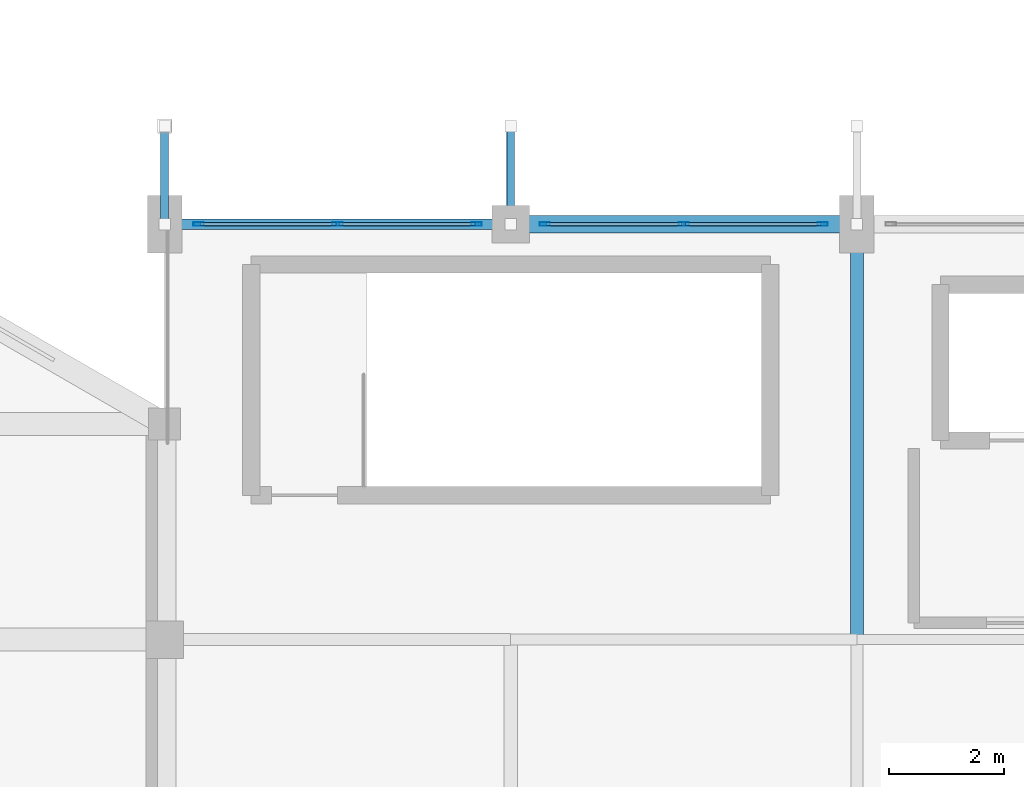
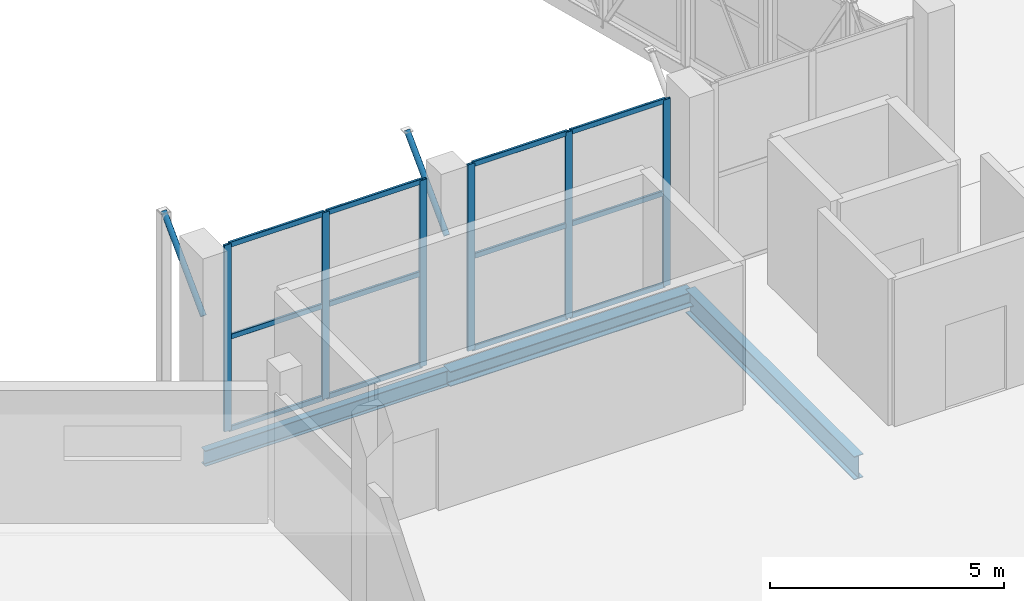
# One storey, part 38 of 127: 20 members, 3 beams, 2 elements without a shape of their own.
"""IFC4 building model written with IfcOpenShell, lengths in metres."""

from ifc_helpers import new_model, si_unit, direction, frame, origin, origin_2d, place, context, subcontext, project, spatial, hollow_rectangle, hollow_circle, i_section, extrude, material, layer, layer_set, material_profile, profile_set, type_object, element, aggregate, save


model = new_model("IFC4")

# Units and contexts
model_context = context("Model", 3, precision=1e-05, world=origin(), true_north=direction((0.0, 1.0)))
body_context = subcontext(model_context, "Body", "Model", "MODEL_VIEW")
ifc_project = project(units=[si_unit("LENGTHUNIT", "METRE"), si_unit("AREAUNIT", "SQUARE_METRE"), si_unit("VOLUMEUNIT", "CUBIC_METRE"), si_unit("PLANEANGLEUNIT", "RADIAN"), si_unit("MASSUNIT", "GRAM", prefix="KILO")], contexts=[model_context])

# Site, building, storey
site_placement = place(None, origin())
site = spatial("IfcSite", under=ifc_project, at=site_placement, CompositionType="ELEMENT")
building_placement = place(site_placement, origin())
building = spatial("IfcBuilding", under=site, at=building_placement, Name="Dunvalen Ferry Terminal", CompositionType="ELEMENT")
storey_placement = place(building_placement, frame((0.0, 0.0, 5.760009765625)))
storey = spatial("IfcBuildingStorey", under=building, at=storey_placement, Name="L01", CompositionType="ELEMENT", Elevation=5.760009765625)

# Curtain wall, members
ifc_material_1 = material(Name="Anodised marine aluminium and solar-control glazing", Category="aluminium")
ifc_layer = layer(ifc_material_1, 0.219970703125, Name="Anodised marine aluminium and solar-control glazing")
ifc_layer_set = layer_set([ifc_layer], Name="Anodised marine aluminium and solar-control glazing")
curtain_wall_type = type_object("IfcCurtainWallType", Name="ENV-CW-SYS-02", PredefinedType="NOTDEFINED", material=ifc_layer_set)
curtain_wall_1_placement = place(storey_placement, origin())
curtain_wall_1 = element("IfcCurtainWall", 1, at=curtain_wall_1_placement, inside=storey, type_object=curtain_wall_type, Name="L01 Curtain Wall CW-V1N-L01-01", PredefinedType="NOTDEFINED")
ifc_material_2 = material(Name="Anodised marine aluminium EN AW-6063 T6", Category="aluminium")
ifc_material_profile_1 = material_profile(ifc_material_2, hollow_rectangle(XDim=0.06005859375, YDim=0.179931640625, WallThickness=0.00341796875, InnerFilletRadius=0.00341796875, OuterFilletRadius=0.007080078125, at=origin_2d()), Name="Anodised marine aluminium EN AW-6063 T6")
ifc_profile_set_1 = profile_set([ifc_material_profile_1], Name="Anodised marine aluminium EN AW-6063 T6")
member_type_1 = type_object("IfcMemberType", Name="ENV-CW-MUL-2", PredefinedType="MULLION", material=ifc_profile_set_1)
member_1_placement = place(storey_placement, frame((12.590087890625, 86.39990234375, 0.0), z_axis=(0.0, 0.0, 1.0), x_axis=(0.0, 1.0, 0.0)))
member_1 = element("IfcMember", 2, at=member_1_placement, type_object=member_type_1, Name="CW-02 mullion 1", PredefinedType="MULLION", context=body_context, shape_type="SweptSolid", body=[
    extrude(hollow_rectangle(XDim=0.06005859375, YDim=0.179931640625, WallThickness=0.00341796875, InnerFilletRadius=0.00341796875, OuterFilletRadius=0.007080078125, at=origin_2d()), origin(), (0.0, 0.0, 1.0), 4.860107421875),
])
member_2_placement = place(storey_placement, frame((15.0, 86.39990234375, 0.0), z_axis=(0.0, 0.0, 1.0), x_axis=(0.0, 1.0, 0.0)))
member_2 = element("IfcMember", 3, at=member_2_placement, type_object=member_type_1, Name="CW-02 mullion 2", PredefinedType="MULLION", context=body_context, shape_type="SweptSolid", body=[
    extrude(hollow_rectangle(XDim=0.06005859375, YDim=0.179931640625, WallThickness=0.00341796875, InnerFilletRadius=0.00341796875, OuterFilletRadius=0.007080078125, at=origin_2d()), origin(), (0.0, 0.0, 1.0), 4.860107421875),
])
member_3_placement = place(storey_placement, frame((17.409912109375, 86.39990234375, 0.0), z_axis=(0.0, 0.0, 1.0), x_axis=(0.0, 1.0, 0.0)))
member_3 = element("IfcMember", 4, at=member_3_placement, type_object=member_type_1, Name="CW-02 mullion 3", PredefinedType="MULLION", context=body_context, shape_type="SweptSolid", body=[
    extrude(hollow_rectangle(XDim=0.06005859375, YDim=0.179931640625, WallThickness=0.00341796875, InnerFilletRadius=0.00341796875, OuterFilletRadius=0.007080078125, at=origin_2d()), origin(), (0.0, 0.0, 1.0), 4.860107421875),
])

curtain_wall_2_placement = place(storey_placement, origin())
curtain_wall_2 = element("IfcCurtainWall", 5, at=curtain_wall_2_placement, inside=storey, type_object=curtain_wall_type, Name="L01 Curtain Wall CW-V1N-L01-02", PredefinedType="NOTDEFINED")
member_4_placement = place(storey_placement, frame((18.590087890625, 86.39990234375, 0.0), z_axis=(0.0, 0.0, 1.0), x_axis=(0.0, 1.0, 0.0)))
member_4 = element("IfcMember", 6, at=member_4_placement, type_object=member_type_1, Name="CW-02 mullion 1", PredefinedType="MULLION", context=body_context, shape_type="SweptSolid", body=[
    extrude(hollow_rectangle(XDim=0.06005859375, YDim=0.179931640625, WallThickness=0.00341796875, InnerFilletRadius=0.00341796875, OuterFilletRadius=0.007080078125, at=origin_2d()), origin(), (0.0, 0.0, 1.0), 4.860107421875),
])
member_5_placement = place(storey_placement, frame((21.0, 86.39990234375, 0.0), z_axis=(0.0, 0.0, 1.0), x_axis=(0.0, 1.0, 0.0)))
member_5 = element("IfcMember", 7, at=member_5_placement, type_object=member_type_1, Name="CW-02 mullion 2", PredefinedType="MULLION", context=body_context, shape_type="SweptSolid", body=[
    extrude(hollow_rectangle(XDim=0.06005859375, YDim=0.179931640625, WallThickness=0.00341796875, InnerFilletRadius=0.00341796875, OuterFilletRadius=0.007080078125, at=origin_2d()), origin(), (0.0, 0.0, 1.0), 4.860107421875),
])
member_6_placement = place(storey_placement, frame((23.409912109375, 86.39990234375, 0.0), z_axis=(0.0, 0.0, 1.0), x_axis=(0.0, 1.0, 0.0)))
member_6 = element("IfcMember", 8, at=member_6_placement, type_object=member_type_1, Name="CW-02 mullion 3", PredefinedType="MULLION", context=body_context, shape_type="SweptSolid", body=[
    extrude(hollow_rectangle(XDim=0.06005859375, YDim=0.179931640625, WallThickness=0.00341796875, InnerFilletRadius=0.00341796875, OuterFilletRadius=0.007080078125, at=origin_2d()), origin(), (0.0, 0.0, 1.0), 4.860107421875),
])

# Member
ifc_material_profile_2 = material_profile(ifc_material_2, hollow_rectangle(XDim=0.06005859375, YDim=0.135009765625, WallThickness=0.003173828125, InnerFilletRadius=0.003173828125, OuterFilletRadius=0.00634765625, at=origin_2d()), Name="Anodised marine aluminium EN AW-6063 T6")
ifc_profile_set_2 = profile_set([ifc_material_profile_2], Name="Anodised marine aluminium EN AW-6063 T6")
member_type_2 = type_object("IfcMemberType", Name="ENV-CW-TRN-2", PredefinedType="USERDEFINED", material=ifc_profile_set_2)
member_7_placement = place(storey_placement, frame((12.6201171875, 86.39990234375, 0.030029296875), z_axis=(1.0, 0.0, 0.0), x_axis=(0.0, 1.0, 0.0)))
member_7 = element("IfcMember", 9, at=member_7_placement, type_object=member_type_2, Name="CW-02 transom 1.1", ObjectType="TRANSOM", PredefinedType="USERDEFINED", context=body_context, shape_type="SweptSolid", body=[
    extrude(hollow_rectangle(XDim=0.06005859375, YDim=0.135009765625, WallThickness=0.003173828125, InnerFilletRadius=0.003173828125, OuterFilletRadius=0.00634765625, at=origin_2d()), origin(), (0.0, 0.0, 1.0), 2.349853515625),
])

member_8_placement = place(storey_placement, frame((12.6201171875, 86.39990234375, 2.429931640625), z_axis=(1.0, 0.0, 0.0), x_axis=(0.0, 1.0, 0.0)))
member_8 = element("IfcMember", 10, at=member_8_placement, type_object=member_type_2, Name="CW-02 transom 1.2", ObjectType="TRANSOM", PredefinedType="USERDEFINED", context=body_context, shape_type="SweptSolid", body=[
    extrude(hollow_rectangle(XDim=0.06005859375, YDim=0.135009765625, WallThickness=0.003173828125, InnerFilletRadius=0.003173828125, OuterFilletRadius=0.00634765625, at=origin_2d()), origin(), (0.0, 0.0, 1.0), 2.349853515625),
])

member_9_placement = place(storey_placement, frame((12.6201171875, 86.39990234375, 4.830078125), z_axis=(1.0, 0.0, 0.0), x_axis=(0.0, 1.0, 0.0)))
member_9 = element("IfcMember", 11, at=member_9_placement, type_object=member_type_2, Name="CW-02 transom 1.3", ObjectType="TRANSOM", PredefinedType="USERDEFINED", context=body_context, shape_type="SweptSolid", body=[
    extrude(hollow_rectangle(XDim=0.06005859375, YDim=0.135009765625, WallThickness=0.003173828125, InnerFilletRadius=0.003173828125, OuterFilletRadius=0.00634765625, at=origin_2d()), origin(), (0.0, 0.0, 1.0), 2.349853515625),
])

member_10_placement = place(storey_placement, frame((15.030029296875, 86.39990234375, 0.030029296875), z_axis=(1.0, 0.0, 0.0), x_axis=(0.0, 1.0, 0.0)))
member_10 = element("IfcMember", 12, at=member_10_placement, type_object=member_type_2, Name="CW-02 transom 2.1", ObjectType="TRANSOM", PredefinedType="USERDEFINED", context=body_context, shape_type="SweptSolid", body=[
    extrude(hollow_rectangle(XDim=0.06005859375, YDim=0.135009765625, WallThickness=0.003173828125, InnerFilletRadius=0.003173828125, OuterFilletRadius=0.00634765625, at=origin_2d()), origin(), (0.0, 0.0, 1.0), 2.349853515625),
])

member_11_placement = place(storey_placement, frame((15.030029296875, 86.39990234375, 2.429931640625), z_axis=(1.0, 0.0, 0.0), x_axis=(0.0, 1.0, 0.0)))
member_11 = element("IfcMember", 13, at=member_11_placement, type_object=member_type_2, Name="CW-02 transom 2.2", ObjectType="TRANSOM", PredefinedType="USERDEFINED", context=body_context, shape_type="SweptSolid", body=[
    extrude(hollow_rectangle(XDim=0.06005859375, YDim=0.135009765625, WallThickness=0.003173828125, InnerFilletRadius=0.003173828125, OuterFilletRadius=0.00634765625, at=origin_2d()), origin(), (0.0, 0.0, 1.0), 2.349853515625),
])

member_12_placement = place(storey_placement, frame((15.030029296875, 86.39990234375, 4.830078125), z_axis=(1.0, 0.0, 0.0), x_axis=(0.0, 1.0, 0.0)))
member_12 = element("IfcMember", 14, at=member_12_placement, type_object=member_type_2, Name="CW-02 transom 2.3", ObjectType="TRANSOM", PredefinedType="USERDEFINED", context=body_context, shape_type="SweptSolid", body=[
    extrude(hollow_rectangle(XDim=0.06005859375, YDim=0.135009765625, WallThickness=0.003173828125, InnerFilletRadius=0.003173828125, OuterFilletRadius=0.00634765625, at=origin_2d()), origin(), (0.0, 0.0, 1.0), 2.349853515625),
])

aggregate(curtain_wall_1, [member_1, member_2, member_3, member_7, member_8, member_9, member_10, member_11, member_12])

member_13_placement = place(storey_placement, frame((18.6201171875, 86.39990234375, 0.030029296875), z_axis=(1.0, 0.0, 0.0), x_axis=(0.0, 1.0, 0.0)))
member_13 = element("IfcMember", 15, at=member_13_placement, type_object=member_type_2, Name="CW-02 transom 1.1", ObjectType="TRANSOM", PredefinedType="USERDEFINED", context=body_context, shape_type="SweptSolid", body=[
    extrude(hollow_rectangle(XDim=0.06005859375, YDim=0.135009765625, WallThickness=0.003173828125, InnerFilletRadius=0.003173828125, OuterFilletRadius=0.00634765625, at=origin_2d()), origin(), (0.0, 0.0, 1.0), 2.349853515625),
])

member_14_placement = place(storey_placement, frame((18.6201171875, 86.39990234375, 2.429931640625), z_axis=(1.0, 0.0, 0.0), x_axis=(0.0, 1.0, 0.0)))
member_14 = element("IfcMember", 16, at=member_14_placement, type_object=member_type_2, Name="CW-02 transom 1.2", ObjectType="TRANSOM", PredefinedType="USERDEFINED", context=body_context, shape_type="SweptSolid", body=[
    extrude(hollow_rectangle(XDim=0.06005859375, YDim=0.135009765625, WallThickness=0.003173828125, InnerFilletRadius=0.003173828125, OuterFilletRadius=0.00634765625, at=origin_2d()), origin(), (0.0, 0.0, 1.0), 2.349853515625),
])

member_15_placement = place(storey_placement, frame((18.6201171875, 86.39990234375, 4.830078125), z_axis=(1.0, 0.0, 0.0), x_axis=(0.0, 1.0, 0.0)))
member_15 = element("IfcMember", 17, at=member_15_placement, type_object=member_type_2, Name="CW-02 transom 1.3", ObjectType="TRANSOM", PredefinedType="USERDEFINED", context=body_context, shape_type="SweptSolid", body=[
    extrude(hollow_rectangle(XDim=0.06005859375, YDim=0.135009765625, WallThickness=0.003173828125, InnerFilletRadius=0.003173828125, OuterFilletRadius=0.00634765625, at=origin_2d()), origin(), (0.0, 0.0, 1.0), 2.349853515625),
])

member_16_placement = place(storey_placement, frame((21.030029296875, 86.39990234375, 0.030029296875), z_axis=(1.0, 0.0, 0.0), x_axis=(0.0, 1.0, 0.0)))
member_16 = element("IfcMember", 18, at=member_16_placement, type_object=member_type_2, Name="CW-02 transom 2.1", ObjectType="TRANSOM", PredefinedType="USERDEFINED", context=body_context, shape_type="SweptSolid", body=[
    extrude(hollow_rectangle(XDim=0.06005859375, YDim=0.135009765625, WallThickness=0.003173828125, InnerFilletRadius=0.003173828125, OuterFilletRadius=0.00634765625, at=origin_2d()), origin(), (0.0, 0.0, 1.0), 2.349853515625),
])

member_17_placement = place(storey_placement, frame((21.030029296875, 86.39990234375, 2.429931640625), z_axis=(1.0, 0.0, 0.0), x_axis=(0.0, 1.0, 0.0)))
member_17 = element("IfcMember", 19, at=member_17_placement, type_object=member_type_2, Name="CW-02 transom 2.2", ObjectType="TRANSOM", PredefinedType="USERDEFINED", context=body_context, shape_type="SweptSolid", body=[
    extrude(hollow_rectangle(XDim=0.06005859375, YDim=0.135009765625, WallThickness=0.003173828125, InnerFilletRadius=0.003173828125, OuterFilletRadius=0.00634765625, at=origin_2d()), origin(), (0.0, 0.0, 1.0), 2.349853515625),
])

member_18_placement = place(storey_placement, frame((21.030029296875, 86.39990234375, 4.830078125), z_axis=(1.0, 0.0, 0.0), x_axis=(0.0, 1.0, 0.0)))
member_18 = element("IfcMember", 20, at=member_18_placement, type_object=member_type_2, Name="CW-02 transom 2.3", ObjectType="TRANSOM", PredefinedType="USERDEFINED", context=body_context, shape_type="SweptSolid", body=[
    extrude(hollow_rectangle(XDim=0.06005859375, YDim=0.135009765625, WallThickness=0.003173828125, InnerFilletRadius=0.003173828125, OuterFilletRadius=0.00634765625, at=origin_2d()), origin(), (0.0, 0.0, 1.0), 2.349853515625),
])

aggregate(curtain_wall_2, [member_4, member_5, member_6, member_13, member_14, member_15, member_16, member_17, member_18])

# Beams
ifc_material_3 = material(Name="Steel S355", Category="steel")
ifc_material_profile_3 = material_profile(ifc_material_3, i_section(OverallWidth=0.300048828125, OverallDepth=0.389892578125, WebThickness=0.010986328125, FlangeThickness=0.01904296875, FilletRadius=0.027099609375, at=origin_2d()), Name="Steel S355")
ifc_profile_set_3 = profile_set([ifc_material_profile_3], Name="Steel S355")
beam_type_1 = type_object("IfcBeamType", Name="STR-BM-HEA400", PredefinedType="BEAM", material=ifc_profile_set_3)
beam_1_placement = place(storey_placement, frame((18.0, 86.39990234375, -0.47509765625), z_axis=(1.0, 0.0, 0.0), x_axis=(0.0, 1.0, 0.0)))
element("IfcBeam", 21, at=beam_1_placement, inside=storey, type_object=beam_type_1, Name="L01 V1M Primary Beam X-063", PredefinedType="BEAM", context=body_context, shape_type="SweptSolid", body=[
    extrude(i_section(OverallWidth=0.300048828125, OverallDepth=0.389892578125, WebThickness=0.010986328125, FlangeThickness=0.01904296875, FilletRadius=0.027099609375, at=origin_2d()), origin(), (0.0, 0.0, 1.0), 6.0),
])
ifc_material_profile_4 = material_profile(ifc_material_3, i_section(OverallWidth=0.177978515625, OverallDepth=0.406494140625, WebThickness=0.0078125, FlangeThickness=0.0126953125, FilletRadius=0.01025390625, at=origin_2d()), Name="Steel S355")
ifc_profile_set_4 = profile_set([ifc_material_profile_4], Name="Steel S355")
beam_type_2 = type_object("IfcBeamType", Name="STR-BM-UKB406", PredefinedType="JOIST", material=ifc_profile_set_4)
beam_2_placement = place(storey_placement, frame((12.0, 86.39990234375, -0.483154296875), z_axis=(1.0, 0.0, 0.0), x_axis=(0.0, 1.0, 0.0)))
element("IfcBeam", 22, at=beam_2_placement, inside=storey, type_object=beam_type_2, Name="L01 V1M Primary Beam X-062", PredefinedType="JOIST", context=body_context, shape_type="SweptSolid", body=[
    extrude(i_section(OverallWidth=0.177978515625, OverallDepth=0.406494140625, WebThickness=0.0078125, FlangeThickness=0.0126953125, FilletRadius=0.01025390625, at=origin_2d()), origin(), (0.0, 0.0, 1.0), 6.0),
])
ifc_material_profile_5 = material_profile(ifc_material_3, i_section(OverallWidth=0.228271484375, OverallDepth=0.607666015625, WebThickness=0.010986328125, FlangeThickness=0.017333984375, FilletRadius=0.0126953125, at=origin_2d()), Name="Steel S355")
ifc_profile_set_5 = profile_set([ifc_material_profile_5], Name="Steel S355")
beam_type_3 = type_object("IfcBeamType", Name="STR-BM-UKB610", PredefinedType="BEAM", material=ifc_profile_set_5)
beam_3_placement = place(storey_placement, frame((24.0, 79.199951171875, -0.583740234375), z_axis=(0.0, 1.0, 0.0), x_axis=(-1.0, 0.0, 0.0)))
element("IfcBeam", 23, at=beam_3_placement, inside=storey, type_object=beam_type_3, Name="L01 V1M Primary Girder Y-092", PredefinedType="BEAM", context=body_context, shape_type="SweptSolid", body=[
    extrude(i_section(OverallWidth=0.228271484375, OverallDepth=0.607666015625, WebThickness=0.010986328125, FlangeThickness=0.017333984375, FilletRadius=0.0126953125, at=origin_2d()), origin(), (0.0, 0.0, 1.0), 7.199951171875),
])

# Members
ifc_material_profile_6 = material_profile(ifc_material_3, hollow_circle(Radius=0.06982421875, WallThickness=0.00634765625, at=origin_2d()), Name="Steel S355")
ifc_profile_set_6 = profile_set([ifc_material_profile_6], Name="Steel S355")
member_type_3 = type_object("IfcMemberType", Name="STR-MB-CHS139", PredefinedType="BRACE", material=ifc_profile_set_6)
for number, where, z_axis, x_axis, name in (
    (24, (12.0, 86.39990234375, 3.18994140625), (0.0, 0.705078956609, 0.709128807021), (-1.0, 0.0, 0.0), "Departure Hall North Eave Knee Strut 01"),
    (25, (18.0, 86.39990234375, 3.18994140625), (0.0, 0.705078956609, 0.709128807021), (-1.0, 0.0, 0.0), "Departure Hall North Eave Knee Strut 02"),
):
    element("IfcMember", number, at=place(storey_placement, frame(where, z_axis=z_axis, x_axis=x_axis)), inside=storey, type_object=member_type_3, Name=name, PredefinedType="BRACE", context=body_context, shape_type="SweptSolid", body=[
        extrude(hollow_circle(Radius=0.06982421875, WallThickness=0.00634765625, at=origin_2d()), origin(), (0.0, 0.0, 1.0), 2.411376953125),
    ])

save(model, "model.ifc")
